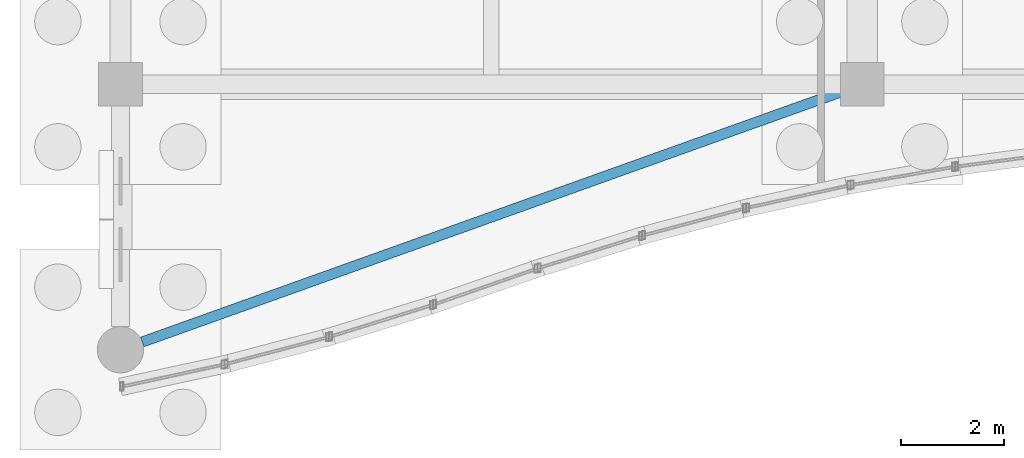
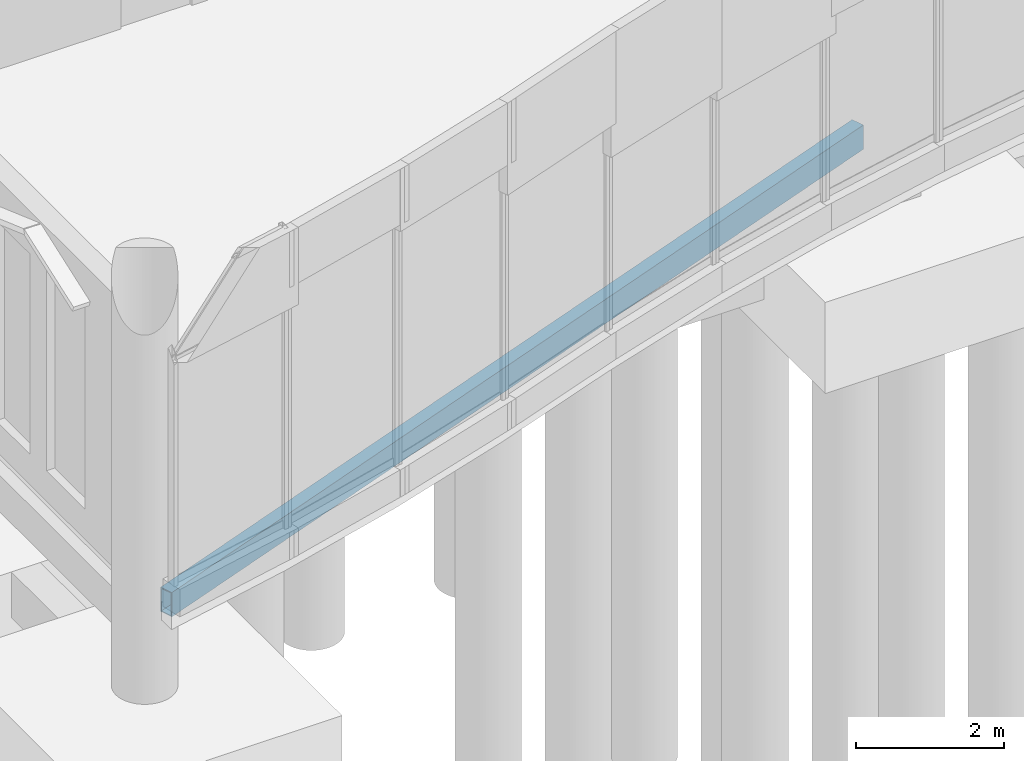
# One storey, part 21 of 192: 1 beam.
"""IFC4 building model written with IfcOpenShell, lengths in metres."""

from ifc_helpers import new_model, si_unit, direction, frame, origin, origin_2d, place, context, subcontext, project, spatial, hollow_rectangle, extrude, material, material_profile, profile_set, type_object, element, save


model = new_model("IFC4")

# Units and contexts
model_context = context("Model", 3, precision=1e-05, world=origin(), true_north=direction((0.0, 1.0)))
body_context = subcontext(model_context, "Body", "Model", "MODEL_VIEW")
ifc_project = project(units=[si_unit("LENGTHUNIT", "METRE"), si_unit("AREAUNIT", "SQUARE_METRE"), si_unit("VOLUMEUNIT", "CUBIC_METRE"), si_unit("PLANEANGLEUNIT", "RADIAN"), si_unit("MASSUNIT", "GRAM", prefix="KILO")], contexts=[model_context])

# Site, building, storey
site_placement = place(None, origin())
site = spatial("IfcSite", under=ifc_project, at=site_placement, CompositionType="ELEMENT")
building_placement = place(site_placement, origin())
building = spatial("IfcBuilding", under=site, at=building_placement, Name="Cendralis Lancet Convention Centre", CompositionType="ELEMENT")
storey_placement = place(building_placement, origin())
storey = spatial("IfcBuildingStorey", under=building, at=storey_placement, Name="L00", CompositionType="ELEMENT", Elevation=0.0)

# Beam
ifc_material = material(Name="Steel S355", Category="steel")
ifc_material_profile = material_profile(ifc_material, hollow_rectangle(XDim=0.199951171875, YDim=0.39990234375, WallThickness=0.01416015625, at=origin_2d()), Name="RHS 400x200x14.2")
ifc_profile_set = profile_set([ifc_material_profile], Name="Steel S355")
beam_type = type_object("IfcBeamType", Name="STR-SP-SP03", PredefinedType="SPANDREL", material=ifc_profile_set)
beam_placement = place(storey_placement, frame((0.423583984375, 2.197021484375, -0.52001953125), z_axis=(0.941496895481, 0.337021654794, 0.0), x_axis=(-0.337021654794, 0.941496895481, 0.0)))
element("IfcBeam", 1, at=beam_placement, inside=storey, type_object=beam_type, Name="L00 Beam SP03 #1032", PredefinedType="SPANDREL", context=body_context, shape_type="SweptSolid", body=[
    extrude(hollow_rectangle(XDim=0.199951171875, YDim=0.39990234375, WallThickness=0.01416015625, at=origin_2d()), origin(), (0.0, 0.0, 1.0), 14.419921875),
])

save(model, "model.ifc")
